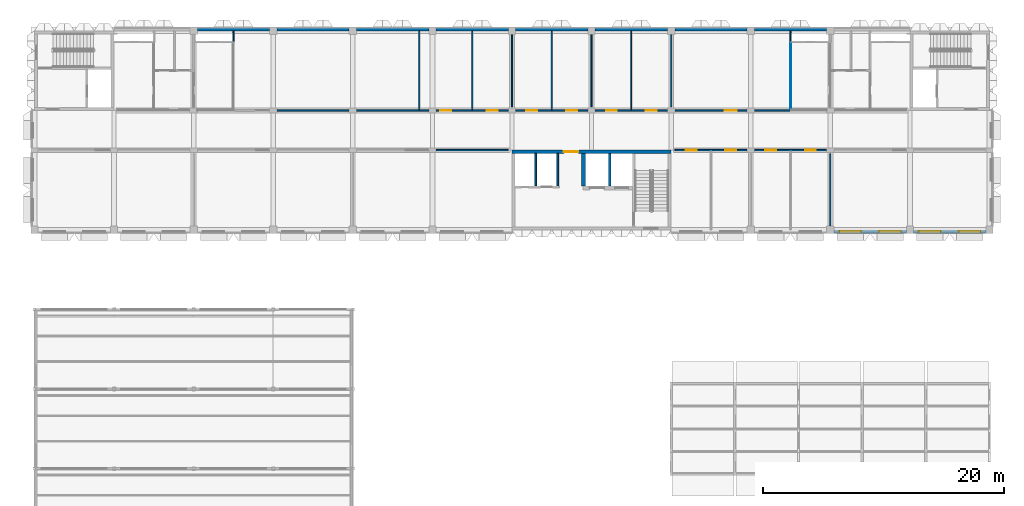
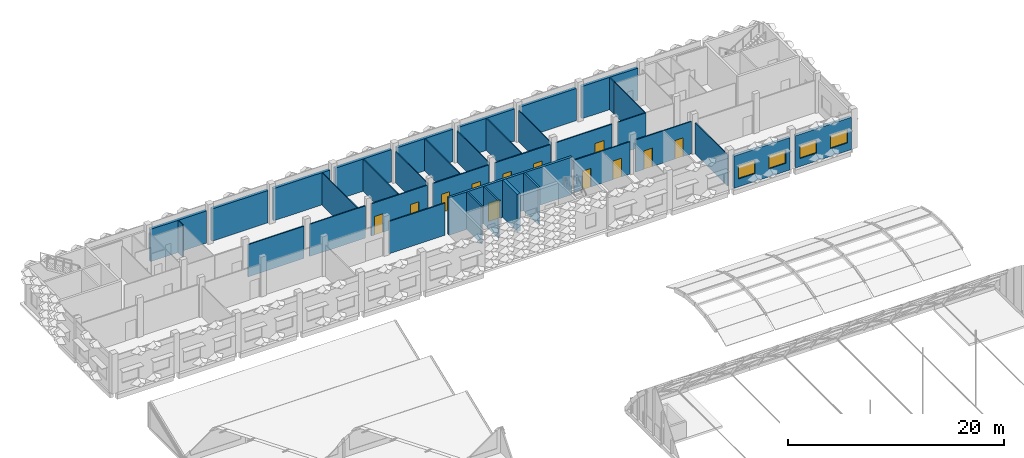
# One storey, part 59 of 109: 36 walls, 12 doors, 4 windows, 16 openings.
"""IFC4 building model written with IfcOpenShell, lengths in metres."""

from ifc_helpers import new_model, si_unit, direction, frame, frame_2d, origin, place, context, subcontext, project, spatial, rectangle, extrude, material, layer, layer_set, type_object, element, fill, save


model = new_model("IFC4")

# Units and contexts
model_context = context("Model", 3, precision=1e-05, world=origin(), true_north=direction((0.0, 1.0)))
body_context = subcontext(model_context, "Body", "Model", "MODEL_VIEW")
ifc_project = project(units=[si_unit("LENGTHUNIT", "METRE"), si_unit("AREAUNIT", "SQUARE_METRE"), si_unit("VOLUMEUNIT", "CUBIC_METRE"), si_unit("PLANEANGLEUNIT", "RADIAN"), si_unit("MASSUNIT", "GRAM", prefix="KILO")], contexts=[model_context])

# Site, building, storey
site_placement = place(None, origin())
site = spatial("IfcSite", under=ifc_project, at=site_placement, CompositionType="ELEMENT")
building_placement = place(site_placement, origin())
building = spatial("IfcBuilding", under=site, at=building_placement, Name="Lantern Court Research Institute", CompositionType="ELEMENT")
storey_placement = place(building_placement, frame((0.0, 0.0, 14.39990234375)))
storey = spatial("IfcBuildingStorey", under=building, at=storey_placement, Name="L03", CompositionType="ELEMENT", Elevation=14.39990234375)

# Wall, openings, windows
ifc_material_1 = material(Name="Concrete C30/37", Category="concrete")
ifc_layer_1 = layer(ifc_material_1, 0.300048828125)
ifc_layer_set_1 = layer_set([ifc_layer_1], Name="Concrete C30/37")
wall_type_1 = type_object("IfcWallType", Name="Insulated concrete infill wall 300", PredefinedType="STANDARD", material=ifc_layer_set_1)
wall_1_placement = place(storey_placement, frame((72.300048828125, 82.35009765625, 0.0), z_axis=(0.0, 0.0, 1.0), x_axis=(-1.0, 0.0, 0.0)))
wall_1 = element("IfcWall", 1, at=wall_1_placement, inside=storey, type_object=wall_type_1, Name="Exterior wall EW199", PredefinedType="STANDARD", context=body_context, shape_type="SweptSolid", body=[
    extrude(rectangle(XDim=6.0, YDim=0.300048828125, at=frame_2d((3.0, 0.0))), origin(), (0.0, 0.0, 1.0), 3.650146484375),
])
opening_1_placement = place(wall_1_placement, frame((3.75, 0.0, 0.89990234375)))
opening_1 = element("IfcOpeningElement", 2, at=opening_1_placement, cuts=wall_1, Name="Opening W14", PredefinedType="OPENING", context=body_context, shape_type="SweptSolid", body=[
    extrude(rectangle(XDim=1.800048828125, YDim=1.5, at=frame_2d((0.89990234375, 0.75))), frame((0.0, 0.159912109375, 0.0), z_axis=(0.0, -1.0, 0.0), x_axis=(1.0, 0.0, 0.0)), (0.0, 0.0, 1.0), 0.320068359375),
])
opening_2_placement = place(wall_1_placement, frame((0.449951171875, 0.0, 0.89990234375)))
opening_2 = element("IfcOpeningElement", 3, at=opening_2_placement, cuts=wall_1, Name="Opening W14", PredefinedType="OPENING", context=body_context, shape_type="SweptSolid", body=[
    extrude(rectangle(XDim=1.800048828125, YDim=1.5, at=frame_2d((0.89990234375, 0.75))), frame((0.0, 0.159912109375, 0.0), z_axis=(0.0, -1.0, 0.0), x_axis=(1.0, 0.0, 0.0)), (0.0, 0.0, 1.0), 0.320068359375),
])
ifc_material_2 = material(Name="Aluminium frame with laminated low-emissivity glazing", Category="aluminium")
window_type = type_object("IfcWindowType", Name="Office window 1800 x 1500", PartitioningType="SINGLE_PANEL", PredefinedType="WINDOW", material=ifc_material_2)
window_1_placement = place(opening_1_placement, origin())
window_1 = element("IfcWindow", 4, at=window_1_placement, inside=storey, type_object=window_type, Name="Window W14 V6S L03", OverallHeight=1.5, OverallWidth=1.800048828125, PartitioningType="SINGLE_PANEL", PredefinedType="WINDOW", context=body_context, shape_type="SweptSolid", body=[
    extrude(rectangle(XDim=1.800048828125, YDim=1.5, at=frame_2d((0.89990234375, 0.75))), frame((0.0, 0.030029296875, 0.0), z_axis=(0.0, -1.0, 0.0), x_axis=(1.0, 0.0, 0.0)), (0.0, 0.0, 1.0), 0.06005859375),
])
fill(opening_1, window_1)
window_2_placement = place(opening_2_placement, origin())
window_2 = element("IfcWindow", 5, at=window_2_placement, inside=storey, type_object=window_type, Name="Window W14 V6S L03", OverallHeight=1.5, OverallWidth=1.800048828125, PartitioningType="SINGLE_PANEL", PredefinedType="WINDOW", context=body_context, shape_type="SweptSolid", body=[
    extrude(rectangle(XDim=1.800048828125, YDim=1.5, at=frame_2d((0.89990234375, 0.75))), frame((0.0, 0.030029296875, 0.0), z_axis=(0.0, -1.0, 0.0), x_axis=(1.0, 0.0, 0.0)), (0.0, 0.0, 1.0), 0.06005859375),
])
fill(opening_2, window_2)

wall_2_placement = place(storey_placement, frame((78.89990234375, 82.35009765625, 0.0), z_axis=(0.0, 0.0, 1.0), x_axis=(-1.0, 0.0, 0.0)))
wall_2 = element("IfcWall", 6, at=wall_2_placement, inside=storey, type_object=wall_type_1, Name="Exterior wall EW200", PredefinedType="STANDARD", context=body_context, shape_type="SweptSolid", body=[
    extrude(rectangle(XDim=6.0, YDim=0.300048828125, at=frame_2d((3.0, 0.0))), origin(), (0.0, 0.0, 1.0), 3.650146484375),
])
opening_3_placement = place(wall_2_placement, frame((3.75, 0.0, 0.89990234375)))
opening_3 = element("IfcOpeningElement", 7, at=opening_3_placement, cuts=wall_2, Name="Opening W14", PredefinedType="OPENING", context=body_context, shape_type="SweptSolid", body=[
    extrude(rectangle(XDim=1.800048828125, YDim=1.5, at=frame_2d((0.89990234375, 0.75))), frame((0.0, 0.159912109375, 0.0), z_axis=(0.0, -1.0, 0.0), x_axis=(1.0, 0.0, 0.0)), (0.0, 0.0, 1.0), 0.320068359375),
])
opening_4_placement = place(wall_2_placement, frame((0.449951171875, 0.0, 0.89990234375)))
opening_4 = element("IfcOpeningElement", 8, at=opening_4_placement, cuts=wall_2, Name="Opening W14", PredefinedType="OPENING", context=body_context, shape_type="SweptSolid", body=[
    extrude(rectangle(XDim=1.800048828125, YDim=1.5, at=frame_2d((0.89990234375, 0.75))), frame((0.0, 0.159912109375, 0.0), z_axis=(0.0, -1.0, 0.0), x_axis=(1.0, 0.0, 0.0)), (0.0, 0.0, 1.0), 0.320068359375),
])
window_3_placement = place(opening_3_placement, origin())
window_3 = element("IfcWindow", 9, at=window_3_placement, inside=storey, type_object=window_type, Name="Window W14 V6S L03", OverallHeight=1.5, OverallWidth=1.800048828125, PartitioningType="SINGLE_PANEL", PredefinedType="WINDOW", context=body_context, shape_type="SweptSolid", body=[
    extrude(rectangle(XDim=1.800048828125, YDim=1.5, at=frame_2d((0.89990234375, 0.75))), frame((0.0, 0.030029296875, 0.0), z_axis=(0.0, -1.0, 0.0), x_axis=(1.0, 0.0, 0.0)), (0.0, 0.0, 1.0), 0.06005859375),
])
fill(opening_3, window_3)
window_4_placement = place(opening_4_placement, origin())
window_4 = element("IfcWindow", 10, at=window_4_placement, inside=storey, type_object=window_type, Name="Window W14 V6S L03", OverallHeight=1.5, OverallWidth=1.800048828125, PartitioningType="SINGLE_PANEL", PredefinedType="WINDOW", context=body_context, shape_type="SweptSolid", body=[
    extrude(rectangle(XDim=1.800048828125, YDim=1.5, at=frame_2d((0.89990234375, 0.75))), frame((0.0, 0.030029296875, 0.0), z_axis=(0.0, -1.0, 0.0), x_axis=(1.0, 0.0, 0.0)), (0.0, 0.0, 1.0), 0.06005859375),
])
fill(opening_4, window_4)

# Walls
ifc_material_3 = material(Name="Gypsum board on metal studs")
ifc_layer_2 = layer(ifc_material_3, 0.10009765625)
ifc_layer_set_2 = layer_set([ifc_layer_2], Name="Gypsum board on metal studs")
wall_type_2 = type_object("IfcWallType", Name="Partition 100 mm", PredefinedType="PARTITIONING", material=ifc_layer_set_2)
for number, where, z_axis, x_axis, name in (
    (11, (31.89990234375, 92.462890625, 0.0), (0.0, 0.0, 1.0), (0.0, 1.0, 0.0), "Wall V6-L03-040"),
    (12, (36.300048828125, 92.462890625, 0.0), (0.0, 0.0, 1.0), (0.0, 1.0, 0.0), "Wall V6-L03-041"),
):
    element("IfcWall", number, at=place(storey_placement, frame(where, z_axis=z_axis, x_axis=x_axis)), inside=storey, type_object=wall_type_2, Name=name, PredefinedType="PARTITIONING", context=body_context, shape_type="SweptSolid", body=[
        extrude(rectangle(XDim=6.537109375, YDim=0.10009765625, at=frame_2d((3.2685546875, 0.0))), origin(), (0.0, 0.0, 1.0), 3.650146484375),
    ])
wall_3_placement = place(storey_placement, frame((39.60009765625, 92.699951171875, 0.0), z_axis=(0.0, 0.0, 1.0), x_axis=(0.0, 1.0, 0.0)))
element("IfcWall", 13, at=wall_3_placement, inside=storey, type_object=wall_type_2, Name="Wall V6-L03-042", PredefinedType="PARTITIONING", context=body_context, shape_type="SweptSolid", body=[
    extrude(rectangle(XDim=6.0, YDim=0.10009765625, at=frame_2d((3.0, 0.0))), origin(), (0.0, 0.0, 1.0), 3.550048828125),
])
wall_4_placement = place(storey_placement, frame((42.89990234375, 92.462890625, 0.0), z_axis=(0.0, 0.0, 1.0), x_axis=(0.0, 1.0, 0.0)))
element("IfcWall", 14, at=wall_4_placement, inside=storey, type_object=wall_type_2, Name="Wall V6-L03-043", PredefinedType="PARTITIONING", context=body_context, shape_type="SweptSolid", body=[
    extrude(rectangle(XDim=6.537109375, YDim=0.10009765625, at=frame_2d((3.2685546875, 0.0))), origin(), (0.0, 0.0, 1.0), 3.650146484375),
])
wall_5_placement = place(storey_placement, frame((46.199951171875, 92.699951171875, 0.0), z_axis=(0.0, 0.0, 1.0), x_axis=(0.0, 1.0, 0.0)))
element("IfcWall", 15, at=wall_5_placement, inside=storey, type_object=wall_type_2, Name="Wall V6-L03-044", PredefinedType="PARTITIONING", context=body_context, shape_type="SweptSolid", body=[
    extrude(rectangle(XDim=6.0, YDim=0.10009765625, at=frame_2d((3.0, 0.0))), origin(), (0.0, 0.0, 1.0), 3.550048828125),
])
wall_6_placement = place(storey_placement, frame((49.5, 92.462890625, 0.0), z_axis=(0.0, 0.0, 1.0), x_axis=(0.0, 1.0, 0.0)))
element("IfcWall", 16, at=wall_6_placement, inside=storey, type_object=wall_type_2, Name="Wall V6-L03-045", PredefinedType="PARTITIONING", context=body_context, shape_type="SweptSolid", body=[
    extrude(rectangle(XDim=6.537109375, YDim=0.10009765625, at=frame_2d((3.2685546875, 0.0))), origin(), (0.0, 0.0, 1.0), 3.650146484375),
])
for number, where, z_axis, x_axis, name in (
    (17, (52.800048828125, 92.699951171875, 0.0), (0.0, 0.0, 1.0), (0.0, 1.0, 0.0), "Wall V6-L03-046"),
    (18, (66.0, 82.800048828125, 0.0), (0.0, 0.0, 1.0), (0.0, 1.0, 0.0), "Wall V6-L03-052"),
):
    element("IfcWall", number, at=place(storey_placement, frame(where, z_axis=z_axis, x_axis=x_axis)), inside=storey, type_object=wall_type_2, Name=name, PredefinedType="PARTITIONING", context=body_context, shape_type="SweptSolid", body=[
        extrude(rectangle(XDim=6.0, YDim=0.10009765625, at=frame_2d((3.0, 0.0))), origin(), (0.0, 0.0, 1.0), 3.550048828125),
    ])
ifc_material_4 = material(Name="Concrete C30/37", Category="concrete")
ifc_layer_3 = layer(ifc_material_4, 0.300048828125)
ifc_layer_set_3 = layer_set([ifc_layer_3], Name="Concrete C30/37")
wall_type_3 = type_object("IfcWallType", Name="Party wall 300 concrete EI 120", PredefinedType="STANDARD", material=ifc_layer_set_3)
for number, where, z_axis, x_axis, name in (
    (19, (13.5, 99.14990234375, 0.0), (0.0, 0.0, 1.0), (1.0, 0.0, 0.0), "Exterior wall EW182"),
    (20, (20.10009765625, 99.14990234375, 0.0), (0.0, 0.0, 1.0), (1.0, 0.0, 0.0), "Exterior wall EW183"),
    (21, (26.699951171875, 99.14990234375, 0.0), (0.0, 0.0, 1.0), (1.0, 0.0, 0.0), "Exterior wall EW184"),
    (22, (33.300048828125, 99.14990234375, 0.0), (0.0, 0.0, 1.0), (1.0, 0.0, 0.0), "Exterior wall EW185"),
    (23, (39.89990234375, 99.14990234375, 0.0), (0.0, 0.0, 1.0), (1.0, 0.0, 0.0), "Exterior wall EW186"),
    (24, (46.5, 99.14990234375, 0.0), (0.0, 0.0, 1.0), (1.0, 0.0, 0.0), "Exterior wall EW187"),
    (25, (53.10009765625, 99.14990234375, 0.0), (0.0, 0.0, 1.0), (1.0, 0.0, 0.0), "Exterior wall EW188"),
    (26, (59.699951171875, 99.14990234375, 0.0), (0.0, 0.0, 1.0), (1.0, 0.0, 0.0), "Exterior wall EW189"),
):
    element("IfcWall", number, at=place(storey_placement, frame(where, z_axis=z_axis, x_axis=x_axis)), inside=storey, type_object=wall_type_3, Name=name, PredefinedType="STANDARD", context=body_context, shape_type="SweptSolid", body=[
        extrude(rectangle(XDim=6.0, YDim=0.300048828125, at=frame_2d((3.0, 0.0))), origin(), (0.0, 0.0, 1.0), 3.650146484375),
    ])
ifc_material_5 = material(Name="Gypsum board on metal studs")
ifc_layer_4 = layer(ifc_material_5, 0.125)
ifc_layer_set_4 = layer_set([ifc_layer_4], Name="Gypsum board on metal studs")
wall_type_4 = type_object("IfcWallType", Name="Protected corridor partition 125 mm EI 30", PredefinedType="PARTITIONING", material=ifc_layer_set_4)
wall_7_placement = place(storey_placement, frame((33.300048828125, 89.10009765625, 0.0), z_axis=(0.0, 0.0, 1.0), x_axis=(1.0, 0.0, 0.0)))
element("IfcWall", 27, at=wall_7_placement, inside=storey, type_object=wall_type_4, Name="Wall V6-L03-006", PredefinedType="PARTITIONING", context=body_context, shape_type="SweptSolid", body=[
    extrude(rectangle(XDim=6.0, YDim=0.125, at=frame_2d((3.0, 0.0))), origin(), (0.0, 0.0, 1.0), 3.650146484375),
])

# Wall, openings, doors
wall_8_placement = place(storey_placement, frame((59.10009765625, 89.10009765625, 0.0), z_axis=(0.0, 0.0, 1.0), x_axis=(-1.0, 0.0, 0.0)))
wall_8 = element("IfcWall", 28, at=wall_8_placement, inside=storey, type_object=wall_type_4, Name="Wall V6-L03-007", PredefinedType="PARTITIONING", context=body_context, shape_type="SweptSolid", body=[
    extrude(rectangle(XDim=6.0, YDim=0.125, at=frame_2d((3.0, 0.0))), origin(), (0.0, 0.0, 1.0), 3.650146484375),
])
opening_5_placement = place(wall_8_placement, frame((4.199951171875, 0.0, 0.0)))
opening_5 = element("IfcOpeningElement", 29, at=opening_5_placement, cuts=wall_8, Name="Opening D6304", PredefinedType="OPENING", context=body_context, shape_type="SweptSolid", body=[
    extrude(rectangle(XDim=0.89990234375, YDim=2.10009765625, at=frame_2d((0.449951171875, 1.050048828125))), frame((0.0, 0.072509765625, 0.0), z_axis=(0.0, -1.0, 0.0), x_axis=(1.0, 0.0, 0.0)), (0.0, 0.0, 1.0), 0.14501953125),
])
opening_6_placement = place(wall_8_placement, frame((0.89990234375, 0.0, 0.0)))
opening_6 = element("IfcOpeningElement", 30, at=opening_6_placement, cuts=wall_8, Name="Opening D6305", PredefinedType="OPENING", context=body_context, shape_type="SweptSolid", body=[
    extrude(rectangle(XDim=0.89990234375, YDim=2.10009765625, at=frame_2d((0.449951171875, 1.050048828125))), frame((0.0, 0.072509765625, 0.0), z_axis=(0.0, -1.0, 0.0), x_axis=(1.0, 0.0, 0.0)), (0.0, 0.0, 1.0), 0.14501953125),
])
ifc_material_6 = material(Name="Timber veneered door leaf", Category="wood")
door_type_1 = type_object("IfcDoorType", Name="Door 900 x 2100 timber FD30S", OperationType="NOTDEFINED", PredefinedType="DOOR", material=ifc_material_6)
door_1_placement = place(opening_5_placement, origin())
door_1 = element("IfcDoor", 31, at=door_1_placement, inside=storey, type_object=door_type_1, Name="Door D6304", OperationType="SINGLE_SWING_LEFT", OverallHeight=2.10009765625, OverallWidth=0.89990234375, PredefinedType="DOOR", context=body_context, shape_type="SweptSolid", body=[
    extrude(rectangle(XDim=0.89990234375, YDim=2.10009765625, at=frame_2d((0.449951171875, 1.050048828125))), frame((0.0, 0.02490234375, 0.0), z_axis=(0.0, -1.0, 0.0), x_axis=(1.0, 0.0, 0.0)), (0.0, 0.0, 1.0), 0.050048828125),
])
fill(opening_5, door_1)
door_2_placement = place(opening_6_placement, origin())
door_2 = element("IfcDoor", 32, at=door_2_placement, inside=storey, type_object=door_type_1, Name="Door D6305", OperationType="SINGLE_SWING_RIGHT", OverallHeight=2.10009765625, OverallWidth=0.89990234375, PredefinedType="DOOR", context=body_context, shape_type="SweptSolid", body=[
    extrude(rectangle(XDim=0.89990234375, YDim=2.10009765625, at=frame_2d((0.449951171875, 1.050048828125))), frame((0.0, 0.02490234375, 0.0), z_axis=(0.0, -1.0, 0.0), x_axis=(1.0, 0.0, 0.0)), (0.0, 0.0, 1.0), 0.050048828125),
])
fill(opening_6, door_2)

wall_9_placement = place(storey_placement, frame((65.699951171875, 89.10009765625, 0.0), z_axis=(0.0, 0.0, 1.0), x_axis=(-1.0, 0.0, 0.0)))
wall_9 = element("IfcWall", 33, at=wall_9_placement, inside=storey, type_object=wall_type_4, Name="Wall V6-L03-008", PredefinedType="PARTITIONING", context=body_context, shape_type="SweptSolid", body=[
    extrude(rectangle(XDim=6.0, YDim=0.125, at=frame_2d((3.0, 0.0))), origin(), (0.0, 0.0, 1.0), 3.650146484375),
])
opening_7_placement = place(wall_9_placement, frame((4.199951171875, 0.0, 0.0)))
opening_7 = element("IfcOpeningElement", 34, at=opening_7_placement, cuts=wall_9, Name="Opening D6306", PredefinedType="OPENING", context=body_context, shape_type="SweptSolid", body=[
    extrude(rectangle(XDim=0.89990234375, YDim=2.10009765625, at=frame_2d((0.449951171875, 1.050048828125))), frame((0.0, 0.072509765625, 0.0), z_axis=(0.0, -1.0, 0.0), x_axis=(1.0, 0.0, 0.0)), (0.0, 0.0, 1.0), 0.14501953125),
])
opening_8_placement = place(wall_9_placement, frame((0.89990234375, 0.0, 0.0)))
opening_8 = element("IfcOpeningElement", 35, at=opening_8_placement, cuts=wall_9, Name="Opening D6307", PredefinedType="OPENING", context=body_context, shape_type="SweptSolid", body=[
    extrude(rectangle(XDim=0.89990234375, YDim=2.10009765625, at=frame_2d((0.449951171875, 1.050048828125))), frame((0.0, 0.072509765625, 0.0), z_axis=(0.0, -1.0, 0.0), x_axis=(1.0, 0.0, 0.0)), (0.0, 0.0, 1.0), 0.14501953125),
])
door_3_placement = place(opening_7_placement, origin())
door_3 = element("IfcDoor", 36, at=door_3_placement, inside=storey, type_object=door_type_1, Name="Door D6306", OperationType="SINGLE_SWING_RIGHT", OverallHeight=2.10009765625, OverallWidth=0.89990234375, PredefinedType="DOOR", context=body_context, shape_type="SweptSolid", body=[
    extrude(rectangle(XDim=0.89990234375, YDim=2.10009765625, at=frame_2d((0.449951171875, 1.050048828125))), frame((0.0, 0.02490234375, 0.0), z_axis=(0.0, -1.0, 0.0), x_axis=(1.0, 0.0, 0.0)), (0.0, 0.0, 1.0), 0.050048828125),
])
fill(opening_7, door_3)
door_4_placement = place(opening_8_placement, origin())
door_4 = element("IfcDoor", 37, at=door_4_placement, inside=storey, type_object=door_type_1, Name="Door D6307", OperationType="SINGLE_SWING_RIGHT", OverallHeight=2.10009765625, OverallWidth=0.89990234375, PredefinedType="DOOR", context=body_context, shape_type="SweptSolid", body=[
    extrude(rectangle(XDim=0.89990234375, YDim=2.10009765625, at=frame_2d((0.449951171875, 1.050048828125))), frame((0.0, 0.02490234375, 0.0), z_axis=(0.0, -1.0, 0.0), x_axis=(1.0, 0.0, 0.0)), (0.0, 0.0, 1.0), 0.050048828125),
])
fill(opening_8, door_4)

# Walls
for number, where, z_axis, x_axis, name in (
    (38, (20.10009765625, 92.39990234375, 0.0), (0.0, 0.0, 1.0), (1.0, 0.0, 0.0), "Wall V6-L03-014"),
    (39, (26.699951171875, 92.39990234375, 0.0), (0.0, 0.0, 1.0), (1.0, 0.0, 0.0), "Wall V6-L03-015"),
):
    element("IfcWall", number, at=place(storey_placement, frame(where, z_axis=z_axis, x_axis=x_axis)), inside=storey, type_object=wall_type_4, Name=name, PredefinedType="PARTITIONING", context=body_context, shape_type="SweptSolid", body=[
        extrude(rectangle(XDim=6.0, YDim=0.125, at=frame_2d((3.0, 0.0))), origin(), (0.0, 0.0, 1.0), 3.650146484375),
    ])

# Wall, openings, doors
wall_10_placement = place(storey_placement, frame((33.300048828125, 92.39990234375, 0.0), z_axis=(0.0, 0.0, 1.0), x_axis=(1.0, 0.0, 0.0)))
wall_10 = element("IfcWall", 40, at=wall_10_placement, inside=storey, type_object=wall_type_4, Name="Wall V6-L03-016", PredefinedType="PARTITIONING", context=body_context, shape_type="SweptSolid", body=[
    extrude(rectangle(XDim=6.0, YDim=0.125, at=frame_2d((3.0, 0.0))), origin(), (0.0, 0.0, 1.0), 3.650146484375),
])
opening_9_placement = place(wall_10_placement, frame((0.35009765625, 0.0, 0.0)))
opening_9 = element("IfcOpeningElement", 41, at=opening_9_placement, cuts=wall_10, Name="Opening D6311", PredefinedType="OPENING", context=body_context, shape_type="SweptSolid", body=[
    extrude(rectangle(XDim=0.89990234375, YDim=2.10009765625, at=frame_2d((0.449951171875, 1.050048828125))), frame((0.0, 0.072509765625, 0.0), z_axis=(0.0, -1.0, 0.0), x_axis=(1.0, 0.0, 0.0)), (0.0, 0.0, 1.0), 0.14501953125),
])
opening_10_placement = place(wall_10_placement, frame((4.199951171875, 0.0, 0.0)))
opening_10 = element("IfcOpeningElement", 42, at=opening_10_placement, cuts=wall_10, Name="Opening D6312", PredefinedType="OPENING", context=body_context, shape_type="SweptSolid", body=[
    extrude(rectangle(XDim=0.89990234375, YDim=2.10009765625, at=frame_2d((0.449951171875, 1.050048828125))), frame((0.0, 0.072509765625, 0.0), z_axis=(0.0, -1.0, 0.0), x_axis=(1.0, 0.0, 0.0)), (0.0, 0.0, 1.0), 0.14501953125),
])
ifc_material_7 = material(Name="Coated metal door leaf")
door_type_2 = type_object("IfcDoorType", Name="Door 900 x 2100 store FD60", OperationType="NOTDEFINED", PredefinedType="DOOR", material=ifc_material_7)
door_5_placement = place(opening_9_placement, origin())
door_5 = element("IfcDoor", 43, at=door_5_placement, inside=storey, type_object=door_type_2, Name="Door D6311", OperationType="SINGLE_SWING_RIGHT", OverallHeight=2.10009765625, OverallWidth=0.89990234375, PredefinedType="DOOR", context=body_context, shape_type="SweptSolid", body=[
    extrude(rectangle(XDim=0.89990234375, YDim=2.10009765625, at=frame_2d((0.449951171875, 1.050048828125))), frame((0.0, 0.02490234375, 0.0), z_axis=(0.0, -1.0, 0.0), x_axis=(1.0, 0.0, 0.0)), (0.0, 0.0, 1.0), 0.050048828125),
])
fill(opening_9, door_5)
door_6_placement = place(opening_10_placement, origin())
door_6 = element("IfcDoor", 44, at=door_6_placement, inside=storey, type_object=door_type_1, Name="Door D6312", OperationType="SINGLE_SWING_RIGHT", OverallHeight=2.10009765625, OverallWidth=0.89990234375, PredefinedType="DOOR", context=body_context, shape_type="SweptSolid", body=[
    extrude(rectangle(XDim=0.89990234375, YDim=2.10009765625, at=frame_2d((0.449951171875, 1.050048828125))), frame((0.0, 0.02490234375, 0.0), z_axis=(0.0, -1.0, 0.0), x_axis=(1.0, 0.0, 0.0)), (0.0, 0.0, 1.0), 0.050048828125),
])
fill(opening_10, door_6)

wall_11_placement = place(storey_placement, frame((39.89990234375, 92.39990234375, 0.0), z_axis=(0.0, 0.0, 1.0), x_axis=(1.0, 0.0, 0.0)))
wall_11 = element("IfcWall", 45, at=wall_11_placement, inside=storey, type_object=wall_type_4, Name="Wall V6-L03-017", PredefinedType="PARTITIONING", context=body_context, shape_type="SweptSolid", body=[
    extrude(rectangle(XDim=6.0, YDim=0.125, at=frame_2d((3.0, 0.0))), origin(), (0.0, 0.0, 1.0), 3.650146484375),
])
opening_11_placement = place(wall_11_placement, frame((0.89990234375, 0.0, 0.0)))
opening_11 = element("IfcOpeningElement", 46, at=opening_11_placement, cuts=wall_11, Name="Opening D6313", PredefinedType="OPENING", context=body_context, shape_type="SweptSolid", body=[
    extrude(rectangle(XDim=0.89990234375, YDim=2.10009765625, at=frame_2d((0.449951171875, 1.050048828125))), frame((0.0, 0.072509765625, 0.0), z_axis=(0.0, -1.0, 0.0), x_axis=(1.0, 0.0, 0.0)), (0.0, 0.0, 1.0), 0.14501953125),
])
opening_12_placement = place(wall_11_placement, frame((4.199951171875, 0.0, 0.0)))
opening_12 = element("IfcOpeningElement", 47, at=opening_12_placement, cuts=wall_11, Name="Opening D6314", PredefinedType="OPENING", context=body_context, shape_type="SweptSolid", body=[
    extrude(rectangle(XDim=0.89990234375, YDim=2.10009765625, at=frame_2d((0.449951171875, 1.050048828125))), frame((0.0, 0.072509765625, 0.0), z_axis=(0.0, -1.0, 0.0), x_axis=(1.0, 0.0, 0.0)), (0.0, 0.0, 1.0), 0.14501953125),
])
door_7_placement = place(opening_11_placement, origin())
door_7 = element("IfcDoor", 48, at=door_7_placement, inside=storey, type_object=door_type_1, Name="Door D6313", OperationType="SINGLE_SWING_LEFT", OverallHeight=2.10009765625, OverallWidth=0.89990234375, PredefinedType="DOOR", context=body_context, shape_type="SweptSolid", body=[
    extrude(rectangle(XDim=0.89990234375, YDim=2.10009765625, at=frame_2d((0.449951171875, 1.050048828125))), frame((0.0, 0.02490234375, 0.0), z_axis=(0.0, -1.0, 0.0), x_axis=(1.0, 0.0, 0.0)), (0.0, 0.0, 1.0), 0.050048828125),
])
fill(opening_11, door_7)
door_8_placement = place(opening_12_placement, origin())
door_8 = element("IfcDoor", 49, at=door_8_placement, inside=storey, type_object=door_type_1, Name="Door D6314", OperationType="SINGLE_SWING_LEFT", OverallHeight=2.10009765625, OverallWidth=0.89990234375, PredefinedType="DOOR", context=body_context, shape_type="SweptSolid", body=[
    extrude(rectangle(XDim=0.89990234375, YDim=2.10009765625, at=frame_2d((0.449951171875, 1.050048828125))), frame((0.0, 0.02490234375, 0.0), z_axis=(0.0, -1.0, 0.0), x_axis=(1.0, 0.0, 0.0)), (0.0, 0.0, 1.0), 0.050048828125),
])
fill(opening_12, door_8)

wall_12_placement = place(storey_placement, frame((46.5, 92.39990234375, 0.0), z_axis=(0.0, 0.0, 1.0), x_axis=(1.0, 0.0, 0.0)))
wall_12 = element("IfcWall", 50, at=wall_12_placement, inside=storey, type_object=wall_type_4, Name="Wall V6-L03-018", PredefinedType="PARTITIONING", context=body_context, shape_type="SweptSolid", body=[
    extrude(rectangle(XDim=6.0, YDim=0.125, at=frame_2d((3.0, 0.0))), origin(), (0.0, 0.0, 1.0), 3.650146484375),
])
opening_13_placement = place(wall_12_placement, frame((0.89990234375, 0.0, 0.0)))
opening_13 = element("IfcOpeningElement", 51, at=opening_13_placement, cuts=wall_12, Name="Opening D6315", PredefinedType="OPENING", context=body_context, shape_type="SweptSolid", body=[
    extrude(rectangle(XDim=0.89990234375, YDim=2.10009765625, at=frame_2d((0.449951171875, 1.050048828125))), frame((0.0, 0.072509765625, 0.0), z_axis=(0.0, -1.0, 0.0), x_axis=(1.0, 0.0, 0.0)), (0.0, 0.0, 1.0), 0.14501953125),
])
opening_14_placement = place(wall_12_placement, frame((4.199951171875, 0.0, 0.0)))
opening_14 = element("IfcOpeningElement", 52, at=opening_14_placement, cuts=wall_12, Name="Opening D6316", PredefinedType="OPENING", context=body_context, shape_type="SweptSolid", body=[
    extrude(rectangle(XDim=0.89990234375, YDim=2.10009765625, at=frame_2d((0.449951171875, 1.050048828125))), frame((0.0, 0.072509765625, 0.0), z_axis=(0.0, -1.0, 0.0), x_axis=(1.0, 0.0, 0.0)), (0.0, 0.0, 1.0), 0.14501953125),
])
door_9_placement = place(opening_13_placement, origin())
door_9 = element("IfcDoor", 53, at=door_9_placement, inside=storey, type_object=door_type_1, Name="Door D6315", OperationType="SINGLE_SWING_LEFT", OverallHeight=2.10009765625, OverallWidth=0.89990234375, PredefinedType="DOOR", context=body_context, shape_type="SweptSolid", body=[
    extrude(rectangle(XDim=0.89990234375, YDim=2.10009765625, at=frame_2d((0.449951171875, 1.050048828125))), frame((0.0, 0.02490234375, 0.0), z_axis=(0.0, -1.0, 0.0), x_axis=(1.0, 0.0, 0.0)), (0.0, 0.0, 1.0), 0.050048828125),
])
fill(opening_13, door_9)
door_10_placement = place(opening_14_placement, origin())
door_10 = element("IfcDoor", 54, at=door_10_placement, inside=storey, type_object=door_type_1, Name="Door D6316", OperationType="SINGLE_SWING_LEFT", OverallHeight=2.10009765625, OverallWidth=0.89990234375, PredefinedType="DOOR", context=body_context, shape_type="SweptSolid", body=[
    extrude(rectangle(XDim=0.89990234375, YDim=2.10009765625, at=frame_2d((0.449951171875, 1.050048828125))), frame((0.0, 0.02490234375, 0.0), z_axis=(0.0, -1.0, 0.0), x_axis=(1.0, 0.0, 0.0)), (0.0, 0.0, 1.0), 0.050048828125),
])
fill(opening_14, door_10)

# Wall, opening, door
wall_13_placement = place(storey_placement, frame((53.10009765625, 92.39990234375, 0.0), z_axis=(0.0, 0.0, 1.0), x_axis=(1.0, 0.0, 0.0)))
wall_13 = element("IfcWall", 55, at=wall_13_placement, inside=storey, type_object=wall_type_4, Name="Wall V6-L03-019", PredefinedType="PARTITIONING", context=body_context, shape_type="SweptSolid", body=[
    extrude(rectangle(XDim=6.0, YDim=0.125, at=frame_2d((3.0, 0.0))), origin(), (0.0, 0.0, 1.0), 3.650146484375),
])
opening_15_placement = place(wall_13_placement, frame((4.14990234375, 0.0, 0.0)))
opening_15 = element("IfcOpeningElement", 56, at=opening_15_placement, cuts=wall_13, Name="Opening D6317", PredefinedType="OPENING", context=body_context, shape_type="SweptSolid", body=[
    extrude(rectangle(XDim=1.0, YDim=2.10009765625, at=frame_2d((0.5, 1.050048828125))), frame((0.0, 0.072509765625, 0.0), z_axis=(0.0, -1.0, 0.0), x_axis=(1.0, 0.0, 0.0)), (0.0, 0.0, 1.0), 0.14501953125),
])
ifc_material_8 = material(Name="Timber veneered door leaf", Category="wood")
door_type_3 = type_object("IfcDoorType", Name="Door 1000 x 2100 meeting room FD30S", OperationType="NOTDEFINED", PredefinedType="DOOR", material=ifc_material_8)
door_11_placement = place(opening_15_placement, origin())
door_11 = element("IfcDoor", 57, at=door_11_placement, inside=storey, type_object=door_type_3, Name="Door D6317", OperationType="SINGLE_SWING_LEFT", OverallHeight=2.10009765625, OverallWidth=1.0, PredefinedType="DOOR", context=body_context, shape_type="SweptSolid", body=[
    extrude(rectangle(XDim=1.0, YDim=2.10009765625, at=frame_2d((0.5, 1.050048828125))), frame((0.0, 0.02490234375, 0.0), z_axis=(0.0, -1.0, 0.0), x_axis=(1.0, 0.0, 0.0)), (0.0, 0.0, 1.0), 0.050048828125),
])
fill(opening_15, door_11)

# Wall
wall_14_placement = place(storey_placement, frame((59.699951171875, 92.39990234375, 0.0), z_axis=(0.0, 0.0, 1.0), x_axis=(1.0, 0.0, 0.0)))
element("IfcWall", 58, at=wall_14_placement, inside=storey, type_object=wall_type_4, Name="Wall V6-L03-020", PredefinedType="PARTITIONING", context=body_context, shape_type="SweptSolid", body=[
    extrude(rectangle(XDim=3.0380859375, YDim=0.125, at=frame_2d((1.51904296875, 0.0))), origin(), (0.0, 0.0, 1.0), 3.650146484375),
])

# Wall, opening, door
ifc_material_9 = material(Name="Concrete C40/50", Category="concrete")
ifc_layer_5 = layer(ifc_material_9, 0.25)
ifc_layer_set_5 = layer_set([ifc_layer_5], Name="Concrete C40/50")
wall_type_5 = type_object("IfcWallType", Name="RC core wall 250", PredefinedType="SHEAR", material=ifc_layer_set_5)
wall_15_placement = place(storey_placement, frame((52.800048828125, 88.97509765625, 0.0), z_axis=(0.0, 0.0, 1.0), x_axis=(-1.0, 0.0, 0.0)))
wall_15 = element("IfcWall", 59, at=wall_15_placement, inside=storey, type_object=wall_type_5, Name="North wall of core WC-M", PredefinedType="SHEAR", context=body_context, shape_type="SweptSolid", body=[
    extrude(rectangle(XDim=13.199951171875, YDim=0.25, at=frame_2d((6.60009765625, 0.0))), origin(), (0.0, 0.0, 1.0), 4.25),
])
opening_16_placement = place(wall_15_placement, frame((7.699951171875, 0.0, 0.0)))
opening_16 = element("IfcOpeningElement", 60, at=opening_16_placement, cuts=wall_15, Name="Opening D7242", PredefinedType="OPENING", context=body_context, shape_type="SweptSolid", body=[
    extrude(rectangle(XDim=1.199951171875, YDim=2.10009765625, at=frame_2d((0.60009765625, 1.050048828125))), frame((0.0, 0.135009765625, 0.0), z_axis=(0.0, -1.0, 0.0), x_axis=(1.0, 0.0, 0.0)), (0.0, 0.0, 1.0), 0.27001953125),
])
ifc_material_10 = material(Name="Steel fire door leaf with smoke seals", Category="steel")
door_type_4 = type_object("IfcDoorType", Name="Door 1200 x 2100 fire rated FD60S", OperationType="NOTDEFINED", PredefinedType="DOOR", material=ifc_material_10)
door_12_placement = place(opening_16_placement, origin())
door_12 = element("IfcDoor", 61, at=door_12_placement, inside=storey, type_object=door_type_4, Name="Lobby door", OperationType="SINGLE_SWING_RIGHT", OverallHeight=2.10009765625, OverallWidth=1.199951171875, PredefinedType="DOOR", context=body_context, shape_type="SweptSolid", body=[
    extrude(rectangle(XDim=1.199951171875, YDim=2.10009765625, at=frame_2d((0.60009765625, 1.050048828125))), frame((0.0, 0.02490234375, 0.0), z_axis=(0.0, -1.0, 0.0), x_axis=(1.0, 0.0, 0.0)), (0.0, 0.0, 1.0), 0.050048828125),
])
fill(opening_16, door_12)

# Walls
ifc_material_11 = material(Name="Concrete C40/50", Category="concrete")
ifc_layer_6 = layer(ifc_material_11, 0.14990234375)
ifc_layer_set_6 = layer_set([ifc_layer_6], Name="Concrete C40/50")
wall_type_6 = type_object("IfcWallType", Name="RC shaft wall 150", PredefinedType="SHEAR", material=ifc_layer_set_6)
for number, where, z_axis, x_axis, name in (
    (62, (43.39990234375, 88.85009765625, 0.0), (0.0, 0.0, 1.0), (0.0, -1.0, 0.0), "Riser wall of core WC-M"),
    (63, (41.574951171875, 88.85009765625, 0.0), (0.0, 0.0, 1.0), (0.0, -1.0, 0.0), "Riser wall of core WC-M"),
):
    element("IfcWall", number, at=place(storey_placement, frame(where, z_axis=z_axis, x_axis=x_axis)), inside=storey, type_object=wall_type_6, Name=name, PredefinedType="SHEAR", context=body_context, shape_type="SweptSolid", body=[
        extrude(rectangle(XDim=2.7001953125, YDim=0.14990234375, at=frame_2d((1.35009765625, 0.0))), origin(), (0.0, 0.0, 1.0), 4.25),
    ])
ifc_material_12 = material(Name="Concrete C40/50", Category="concrete")
ifc_layer_7 = layer(ifc_material_12, 0.199951171875)
ifc_layer_set_7 = layer_set([ifc_layer_7], Name="Concrete C40/50")
wall_type_7 = type_object("IfcWallType", Name="RC shaft wall 200", PredefinedType="SHEAR", material=ifc_layer_set_7)
wall_16_placement = place(storey_placement, frame((47.699951171875, 88.85009765625, 0.0), z_axis=(0.0, 0.0, 1.0), x_axis=(0.0, -1.0, 0.0)))
element("IfcWall", 64, at=wall_16_placement, inside=storey, type_object=wall_type_7, Name="Lift shaft wall of core WC-M", PredefinedType="SHEAR", context=body_context, shape_type="SweptSolid", body=[
    extrude(rectangle(XDim=2.7001953125, YDim=0.199951171875, at=frame_2d((1.35009765625, 0.0))), origin(), (0.0, 0.0, 1.0), 4.25),
])
ifc_material_13 = material(Name="Concrete C40/50", Category="concrete")
ifc_layer_8 = layer(ifc_material_13, 0.35009765625)
ifc_layer_set_8 = layer_set([ifc_layer_8], Name="Concrete C40/50")
wall_type_8 = type_object("IfcWallType", Name="RC shaft wall 350", PredefinedType="SHEAR", material=ifc_layer_set_8)
wall_17_placement = place(storey_placement, frame((45.52490234375, 88.85009765625, 0.0), z_axis=(0.0, 0.0, 1.0), x_axis=(0.0, -1.0, 0.0)))
element("IfcWall", 65, at=wall_17_placement, inside=storey, type_object=wall_type_8, Name="Lift shaft wall of core WC-M", PredefinedType="SHEAR", context=body_context, shape_type="SweptSolid", body=[
    extrude(rectangle(XDim=2.7001953125, YDim=0.35009765625, at=frame_2d((1.35009765625, 0.0))), origin(), (0.0, 0.0, 1.0), 4.25),
])
ifc_material_14 = material(Name="Fire-rated gypsum board on metal studs")
ifc_layer_9 = layer(ifc_material_14, 0.110107421875)
ifc_layer_set_9 = layer_set([ifc_layer_9], Name="Fire-rated gypsum board on metal studs")
wall_type_9 = type_object("IfcWallType", Name="Riser wall 110 mm EI 60", PredefinedType="PARTITIONING", material=ifc_layer_set_9)
for number, where, z_axis, x_axis, name in (
    (66, (16.5, 98.155029296875, 0.0), (0.0, 0.0, 1.0), (0.0, 1.0, 0.0), "Wall V6-L03-038"),
    (67, (62.699951171875, 98.155029296875, 0.0), (0.0, 0.0, 1.0), (0.0, 1.0, 0.0), "Wall V6-L03-051"),
):
    element("IfcWall", number, at=place(storey_placement, frame(where, z_axis=z_axis, x_axis=x_axis)), inside=storey, type_object=wall_type_9, Name=name, PredefinedType="PARTITIONING", context=body_context, shape_type="SweptSolid", body=[
        extrude(rectangle(XDim=0.844970703125, YDim=0.110107421875, at=frame_2d((0.42236328125, 0.0))), origin(), (0.0, 0.0, 1.0), 3.650146484375),
    ])
ifc_material_15 = material(Name="Gypsum board on metal studs")
ifc_layer_10 = layer(ifc_material_15, 0.074951171875)
ifc_layer_set_10 = layer_set([ifc_layer_10], Name="Gypsum board on metal studs")
wall_type_10 = type_object("IfcWallType", Name="Service partition 75 mm", PredefinedType="PARTITIONING", material=ifc_layer_set_10)
wall_18_placement = place(storey_placement, frame((62.699951171875, 92.462890625, 0.0), z_axis=(0.0, 0.0, 1.0), x_axis=(0.0, 1.0, 0.0)))
element("IfcWall", 68, at=wall_18_placement, inside=storey, type_object=wall_type_10, Name="Wall V6-L03-050", PredefinedType="PARTITIONING", context=body_context, shape_type="SweptSolid", body=[
    extrude(rectangle(XDim=5.58203125, YDim=0.074951171875, at=frame_2d((2.791015625, 0.0))), origin(), (0.0, 0.0, 1.0), 3.650146484375),
])

save(model, "model.ifc")
